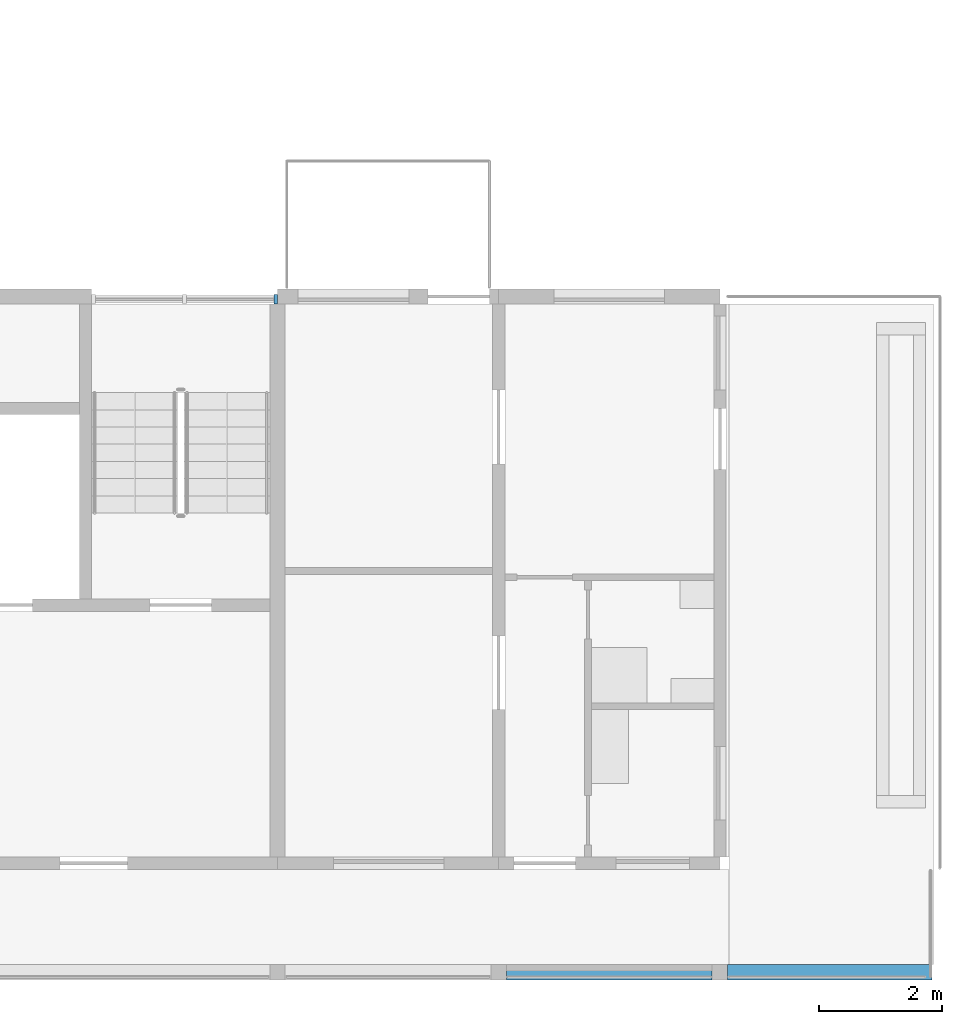
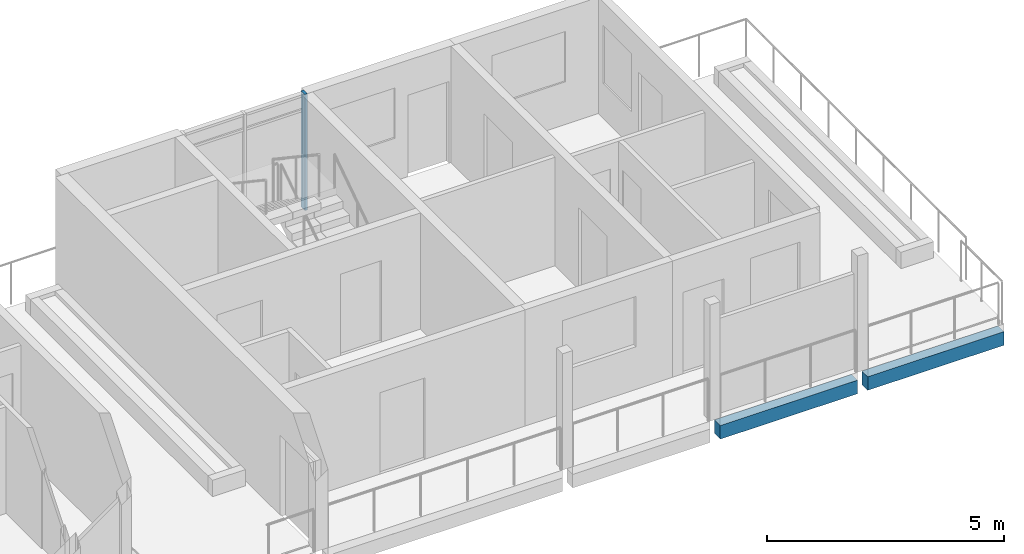
# One storey, part 15 of 55: 2 beams, 1 member, 1 element without a shape of its own.
"""IFC4 building model written with IfcOpenShell, lengths in metres."""

from ifc_helpers import new_model, si_unit, direction, frame, origin, origin_2d, place, context, subcontext, project, spatial, rectangle, extrude, material, material_profile, profile_set, type_object, element, aggregate, save


model = new_model("IFC4")

# Units and contexts
model_context = context("Model", 3, precision=1e-05, world=origin(), true_north=direction((0.0, 1.0)))
body_context = subcontext(model_context, "Body", "Model", "MODEL_VIEW")
ifc_project = project(units=[si_unit("LENGTHUNIT", "METRE"), si_unit("AREAUNIT", "SQUARE_METRE"), si_unit("VOLUMEUNIT", "CUBIC_METRE"), si_unit("PLANEANGLEUNIT", "RADIAN"), si_unit("MASSUNIT", "GRAM", prefix="KILO")], contexts=[model_context])

# Site, building, storey
site_placement = place(None, origin())
site = spatial("IfcSite", under=ifc_project, at=site_placement, CompositionType="ELEMENT")
building_placement = place(site_placement, origin())
building = spatial("IfcBuilding", under=site, at=building_placement, Name="Ridgestep Commons", CompositionType="ELEMENT")
storey_placement = place(building_placement, frame((0.0, 0.0, 36.0)))
storey = spatial("IfcBuildingStorey", under=building, at=storey_placement, Name="L12", CompositionType="ELEMENT", Elevation=36.0)

# Beams
ifc_material_1 = material(Name="Precast concrete C40/50", Category="concrete")
ifc_material_profile_1 = material_profile(ifc_material_1, rectangle(XDim=0.25, YDim=0.35009765625, at=origin_2d()), Name="PC 250x350")
ifc_profile_set_1 = profile_set([ifc_material_profile_1], Name="Precast concrete C40/50")
beam_type = type_object("IfcBeamType", Name="Loggia edge beam 250 x 350", PredefinedType="SPANDREL", material=ifc_profile_set_1)
beam_1_placement = place(storey_placement, frame((240.52490234375, 11.875, -0.375), z_axis=(1.0, 0.0, 0.0), x_axis=(0.0, 1.0, 0.0)))
element("IfcBeam", 1, at=beam_1_placement, inside=storey, type_object=beam_type, Name="Loggia edge beam D6T2 L12", PredefinedType="SPANDREL", context=body_context, shape_type="SweptSolid", body=[
    extrude(rectangle(XDim=0.25, YDim=0.35009765625, at=origin_2d()), origin(), (0.0, 0.0, 1.0), 3.35009765625),
])
beam_2_placement = place(storey_placement, frame((244.125, 11.875, -0.375), z_axis=(1.0, 0.0, 0.0), x_axis=(0.0, 1.0, 0.0)))
element("IfcBeam", 2, at=beam_2_placement, inside=storey, type_object=beam_type, Name="Loggia edge beam D6T1 L12", PredefinedType="SPANDREL", context=body_context, shape_type="SweptSolid", body=[
    extrude(rectangle(XDim=0.25, YDim=0.35009765625, at=origin_2d()), origin(), (0.0, 0.0, 1.0), 3.324951171875),
])

# Curtain wall, member
ifc_material_2 = material(Name="Aluminium 6063-T6 and glass", Category="aluminium")
curtain_wall_type = type_object("IfcCurtainWallType", Name="Curtain wall stair strip", PredefinedType="NOTDEFINED", material=ifc_material_2)
curtain_wall_placement = place(storey_placement, origin())
curtain_wall = element("IfcCurtainWall", 3, at=curtain_wall_placement, inside=storey, type_object=curtain_wall_type, Name="Curtain wall D6C level 12", PredefinedType="NOTDEFINED")
ifc_material_3 = material(Name="Aluminium 6063-T6", Category="aluminium")
ifc_material_profile_2 = material_profile(ifc_material_3, rectangle(XDim=0.159912109375, YDim=0.06005859375, at=origin_2d()), Name="Mullion 60 x 160")
ifc_profile_set_2 = profile_set([ifc_material_profile_2], Name="Aluminium 6063-T6")
member_type = type_object("IfcMemberType", Name="Mullion 60 x 160", PredefinedType="MULLION", material=ifc_profile_set_2)
member_placement = place(storey_placement, frame((236.77001953125, 22.830078125, 0.0), z_axis=(0.0, 0.0, 1.0), x_axis=(0.0, 1.0, 0.0)))
member = element("IfcMember", 4, at=member_placement, type_object=member_type, Name="CW1 mullion 3", PredefinedType="MULLION", context=body_context, shape_type="SweptSolid", body=[
    extrude(rectangle(XDim=0.159912109375, YDim=0.06005859375, at=origin_2d()), origin(), (0.0, 0.0, 1.0), 3.0),
])
aggregate(curtain_wall, [member])

save(model, "model.ifc")
